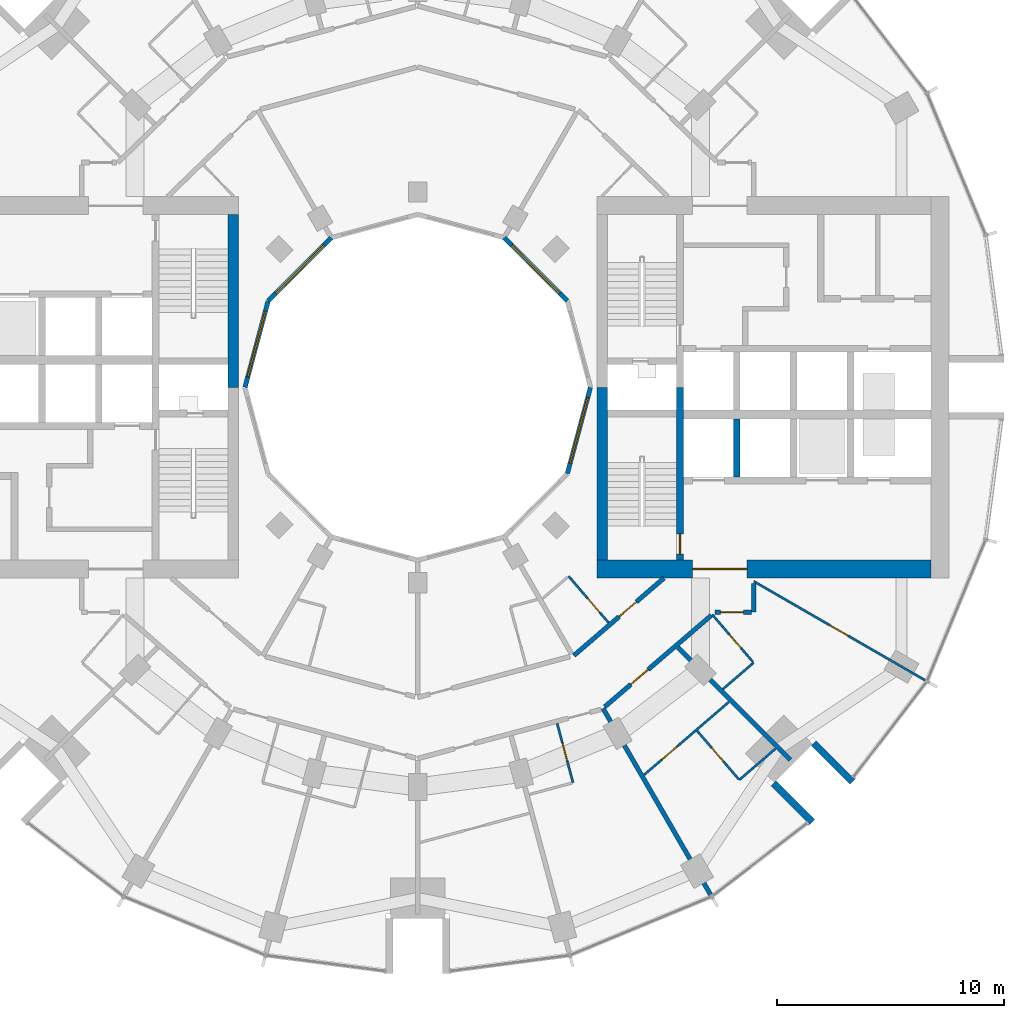
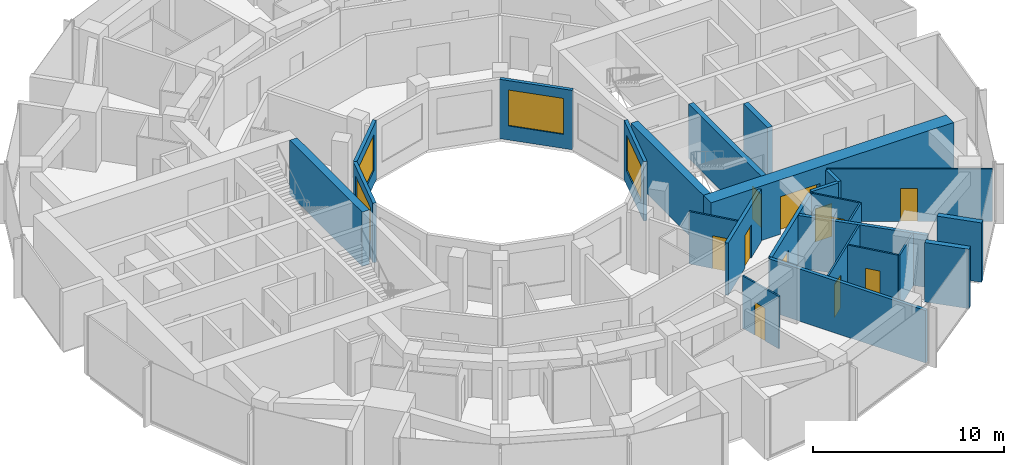
# One storey, part 10 of 15: 25 walls, 11 doors, 4 windows, 15 openings.
"""IFC4 building model written with IfcOpenShell, lengths in metres."""

import ifcopenshell
import ifcopenshell.guid

model = None  # the IFC model being written
_history = None  # IfcOwnerHistory: only IFC2X3 demands one
_inside = {}  # id of a spatial element -> (the spatial element, [elements in it])
_under = {}  # id of a project, library or spatial element -> (it, [spatial elements below it])
_declared = {}  # id of a project -> (the project, [libraries it declares])
_typed = {}  # id of a type object -> (the type object, [elements of that type])
_made_of = {}  # id of a material, layer set ... -> (it, [elements and type objects made of it])


def new_model(schema):
    """Start an empty IFC model of exactly this schema.

    Asked for "IFC4X3", IfcOpenShell would pick the latest addendum, in which some entities
    have other attributes; the version numbers below select the first issue.
    IFC2X3 requires an IfcOwnerHistory on every rooted entity: one is made here for all.
    """
    global model, _history
    if schema == "IFC4X3":
        model = ifcopenshell.file(schema_version=(4, 3, 0, 0))
    else:
        model = ifcopenshell.file(schema=schema)
    _inside.clear()
    _under.clear()
    _declared.clear()
    _typed.clear()
    _made_of.clear()
    _history = None
    if model.schema == "IFC2X3":
        org = make("IfcOrganization", Name="unknown")
        user = make(
            "IfcPersonAndOrganization",
            ThePerson=make("IfcPerson", FamilyName="unknown"),
            TheOrganization=org,
        )
        app = make(
            "IfcApplication",
            ApplicationDeveloper=org,
            Version="unknown",
            ApplicationFullName="unknown",
            ApplicationIdentifier="unknown",
        )
        _history = make(
            "IfcOwnerHistory",
            OwningUser=user,
            OwningApplication=app,
            ChangeAction="ADDED",
            CreationDate=0,
        )
    return model


def make(cls, **values):
    """One entity of the class cls with the attributes given. An attribute that is None is left unset."""
    return model.create_entity(
        cls, **{name: value for name, value in values.items() if value is not None}
    )


def rooted(cls, **values):
    """An entity with a GlobalId (a new one), such as an element, a storey or a relation."""
    return make(cls, GlobalId=ifcopenshell.guid.new(), OwnerHistory=_history, **values)


def si_unit(unit_type, name, prefix=None):
    """IfcSIUnit, for example si_unit("LENGTHUNIT", "METRE", prefix="MILLI")."""
    return make("IfcSIUnit", UnitType=unit_type, Prefix=prefix, Name=name)


def assignment(units):
    """IfcUnitAssignment: the units of a project."""
    return None if units is None else make("IfcUnitAssignment", Units=units)


def point(xyz):
    """IfcCartesianPoint."""
    return None if xyz is None else make("IfcCartesianPoint", Coordinates=xyz)


def direction(xyz):
    """IfcDirection."""
    return None if xyz is None else make("IfcDirection", DirectionRatios=xyz)


def frame(location, z_axis=None, x_axis=None):
    """IfcAxis2Placement3D, a coordinate frame: its origin and axes. An axis left out is left unset."""
    return make(
        "IfcAxis2Placement3D",
        Location=point(location),
        Axis=direction(z_axis),
        RefDirection=direction(x_axis),
    )


def frame_2d(location, x_axis=None):
    """IfcAxis2Placement2D, a coordinate frame in the plane: its origin and x axis."""
    return make(
        "IfcAxis2Placement2D", Location=point(location), RefDirection=direction(x_axis)
    )


def origin():
    """The frame at (0, 0, 0) with its axes left unset."""
    return frame((0.0, 0.0, 0.0))


def place(relative_to, where):
    """IfcLocalPlacement: puts the frame where relative to a parent placement (None: the world)."""
    return make(
        "IfcLocalPlacement", PlacementRelTo=relative_to, RelativePlacement=where
    )


def context(
    kind, dimensions, precision=None, world=None, true_north=None, identifier=None
):
    """IfcGeometricRepresentationContext, for example the 3D "Model" context."""
    return make(
        "IfcGeometricRepresentationContext",
        ContextIdentifier=identifier,
        ContextType=kind,
        CoordinateSpaceDimension=dimensions,
        Precision=precision,
        WorldCoordinateSystem=world,
        TrueNorth=true_north,
    )


def subcontext(parent, identifier, kind, view, scale=None):
    """IfcGeometricRepresentationSubContext, for example "Body" below "Model"."""
    return make(
        "IfcGeometricRepresentationSubContext",
        ContextIdentifier=identifier,
        ContextType=kind,
        ParentContext=parent,
        TargetScale=scale,
        TargetView=view,
    )


def project(units=None, contexts=None):
    """IfcProject with its units and contexts."""
    return rooted(
        "IfcProject",
        Name="project",
        RepresentationContexts=contexts,
        UnitsInContext=assignment(units),
    )


def spatial(cls, under=None, at=None, **own):
    """A site, building, storey or space (cls), placed at a placement, below another one or the project."""
    s = rooted(cls, ObjectPlacement=at, **own)
    if under is not None:
        _under.setdefault(under.id(), (under, []))[1].append(s)
    return s


def profile(cls, at=None, kind="AREA", **sizes):
    """A parametric profile (cls). Its sizes go by their IFC names, for example OverallWidth=200.0."""
    return make(cls, ProfileType=kind, Position=at, **sizes)


def rectangle(**sizes):
    """IfcRectangleProfileDef."""
    return profile("IfcRectangleProfileDef", **sizes)


def extrude(swept, where, along, depth):
    """IfcExtrudedAreaSolid: the profile swept, set in the frame where, extruded along a direction by depth."""
    return make(
        "IfcExtrudedAreaSolid",
        SweptArea=swept,
        Position=where,
        ExtrudedDirection=direction(along),
        Depth=depth,
    )


def shape(context_of_items, identifier, shape_type, items):
    """IfcShapeRepresentation: the items that make up one representation, for example the "Body"."""
    return make(
        "IfcShapeRepresentation",
        ContextOfItems=context_of_items,
        RepresentationIdentifier=identifier,
        RepresentationType=shape_type,
        Items=items,
    )


def material(Name=None, Category=None):
    """IfcMaterial."""
    return make("IfcMaterial", Name=Name, Category=Category)


def layer(
    of_material, thickness, ventilated=None, Name=None, Category=None, Priority=None
):
    """IfcMaterialLayer: one layer of a wall or slab, of a material (None: an air gap)."""
    return make(
        "IfcMaterialLayer",
        Material=of_material,
        LayerThickness=thickness,
        IsVentilated=ventilated,
        Name=Name,
        Category=Category,
        Priority=Priority,
    )


def layer_set(layers, Name=None):
    """IfcMaterialLayerSet."""
    return make("IfcMaterialLayerSet", MaterialLayers=layers, LayerSetName=Name)


def made_of(thing, what):
    """Note that an element or type object is made of a material, layer set ...; save() writes the relation."""
    if what is not None:
        _made_of.setdefault(what.id(), (what, []))[1].append(thing)
    return thing


def type_object(cls, material=None, **own):
    """A type object (cls), such as IfcWallType, which elements share."""
    return made_of(rooted(cls, **own), material)


def element(
    cls,
    number,
    at=None,
    inside=None,
    cuts=None,
    type_object=None,
    material=None,
    context=None,
    identifier="Body",
    shape_type=None,
    held_by="IfcProductDefinitionShape",
    body=None,
    shapes=None,
    **own,
):
    """One element of the class cls, such as IfcWall. Its Tag is "e" and its number.

    at: its placement. inside: the storey or other place that contains it. cuts: it is an
    opening in that element (IfcRelVoidsElement). A single representation is given by context,
    identifier, shape_type and body (its items); several are given by shapes. held_by: the class
    of the entity that holds the representations. save() writes the other relations.
    """
    e = rooted(cls, Tag="e%d" % number, ObjectPlacement=at, **own)
    if body is not None:
        shapes = [shape(context, identifier, shape_type, body)]
    if shapes is not None:
        e.Representation = make(held_by, Representations=shapes)
    if inside is not None:
        _inside.setdefault(inside.id(), (inside, []))[1].append(e)
    if cuts is not None:
        rooted(
            "IfcRelVoidsElement", RelatingBuildingElement=cuts, RelatedOpeningElement=e
        )
    if type_object is not None:
        _typed.setdefault(type_object.id(), (type_object, []))[1].append(e)
    return made_of(e, material)


def fill(opening, filler):
    """IfcRelFillsElement: the door or window that sits in an opening."""
    return rooted(
        "IfcRelFillsElement",
        RelatingOpeningElement=opening,
        RelatedBuildingElement=filler,
    )


def aggregate(whole, parts):
    """IfcRelAggregates: a whole, such as a stair, and the parts it consists of."""
    return rooted("IfcRelAggregates", RelatingObject=whole, RelatedObjects=parts)


def save(model, path):
    """Write the relations noted so far, then the file.

    IfcRelAggregates (storeys below a building ...), IfcRelContainedInSpatialStructure (elements
    in a storey), IfcRelDefinesByType, IfcRelAssociatesMaterial and IfcRelDeclares: one each for
    every whole, place, type object, material and project.
    """
    for whole, parts in _under.values():
        aggregate(whole, parts)
    for where, things in _inside.values():
        rooted(
            "IfcRelContainedInSpatialStructure",
            RelatedElements=things,
            RelatingStructure=where,
        )
    for kind, things in _typed.values():
        rooted("IfcRelDefinesByType", RelatedObjects=things, RelatingType=kind)
    for what, things in _made_of.values():
        rooted("IfcRelAssociatesMaterial", RelatedObjects=things, RelatingMaterial=what)
    for by, libraries in _declared.values():
        rooted("IfcRelDeclares", RelatingContext=by, RelatedDefinitions=libraries)
    model.write(path)


model = new_model("IFC4")

# Units and contexts
model_context = context("Model", 3, precision=1e-05, world=origin(), true_north=direction((0.0, 1.0)))
body_context = subcontext(model_context, "Body", "Model", "MODEL_VIEW")
ifc_project = project(units=[si_unit("LENGTHUNIT", "METRE"), si_unit("AREAUNIT", "SQUARE_METRE"), si_unit("VOLUMEUNIT", "CUBIC_METRE"), si_unit("PLANEANGLEUNIT", "RADIAN"), si_unit("MASSUNIT", "GRAM", prefix="KILO")], contexts=[model_context])

# Site, building, storey
site_placement = place(None, origin())
site = spatial("IfcSite", under=ifc_project, at=site_placement, CompositionType="ELEMENT")
building_placement = place(site_placement, origin())
building = spatial("IfcBuilding", under=site, at=building_placement, Name="Torre Brocal", CompositionType="ELEMENT")
storey_placement = place(building_placement, frame((0.0, 0.0, 47.800048828125)))
storey = spatial("IfcBuildingStorey", under=building, at=storey_placement, Name="L10", CompositionType="ELEMENT", Elevation=47.800048828125)

# Wall, opening, door
ifc_material_1 = material(Name="Concrete C80", Category="concrete")
ifc_layer_1 = layer(ifc_material_1, 0.300048828125)
ifc_layer_set_1 = layer_set([ifc_layer_1], Name="Concrete C80")
wall_type_1 = type_object("IfcWallType", Name="CORE WALL 300 C80", PredefinedType="SHEAR", material=ifc_layer_set_1)
wall_1_placement = place(storey_placement, frame((91.550048828125, 67.39990234375, 0.0), z_axis=(0.0, 0.0, 1.0), x_axis=(0.0, 1.0, 0.0)))
wall_1 = element("IfcWall", 1, at=wall_1_placement, inside=storey, type_object=wall_type_1, Name="Wall CW300-80", PredefinedType="SHEAR", context=body_context, shape_type="SweptSolid", body=[
    extrude(rectangle(XDim=7.60009765625, YDim=0.300048828125, at=frame_2d((3.800048828125, 0.0))), origin(), (0.0, 0.0, 1.0), 3.47998046875),
])
opening_1_placement = place(wall_1_placement, frame((0.25, 0.0, 0.0)))
opening_1 = element("IfcOpeningElement", 2, at=opening_1_placement, cuts=wall_1, Name="Opening E-D03", PredefinedType="OPENING", context=body_context, shape_type="SweptSolid", body=[
    extrude(rectangle(XDim=0.89990234375, YDim=2.10009765625, at=frame_2d((0.449951171875, 1.050048828125))), frame((0.0, 0.159912109375, 0.0), z_axis=(0.0, -1.0, 0.0), x_axis=(1.0, 0.0, 0.0)), (0.0, 0.0, 1.0), 0.320068359375),
])
ifc_material_2 = material(Name="Steel A653", Category="steel")
door_type_1 = type_object("IfcDoorType", Name="STAIR DOOR FD120 900X2100", OperationType="SINGLE_SWING_RIGHT", PredefinedType="DOOR", material=ifc_material_2)
door_1_placement = place(opening_1_placement, origin())
door_1 = element("IfcDoor", 3, at=door_1_placement, inside=storey, type_object=door_type_1, Name="Door E-D03", OperationType="SINGLE_SWING_LEFT", OverallHeight=2.10009765625, OverallWidth=0.89990234375, PredefinedType="DOOR", context=body_context, shape_type="SweptSolid", body=[
    extrude(rectangle(XDim=0.89990234375, YDim=2.10009765625, at=frame_2d((0.449951171875, 1.050048828125))), frame((0.0, 0.02490234375, 0.0), z_axis=(0.0, -1.0, 0.0), x_axis=(1.0, 0.0, 0.0)), (0.0, 0.0, 1.0), 0.050048828125),
])
fill(opening_1, door_1)

# Walls
wall_2_placement = place(storey_placement, frame((94.050048828125, 71.050048828125, 0.0), z_axis=(0.0, 0.0, 1.0), x_axis=(0.0, 1.0, 0.0)))
element("IfcWall", 4, at=wall_2_placement, inside=storey, type_object=wall_type_1, Name="Wall CW300-80", PredefinedType="SHEAR", context=body_context, shape_type="SweptSolid", body=[
    extrude(rectangle(XDim=2.550048828125, YDim=0.300048828125, at=frame_2d((1.27490234375, 0.0))), origin(), (0.0, 0.0, 1.0), 3.47998046875),
])
ifc_material_3 = material(Name="Concrete C80", Category="concrete")
ifc_layer_2 = layer(ifc_material_3, 0.449951171875)
ifc_layer_set_2 = layer_set([ifc_layer_2], Name="Concrete C80")
wall_type_2 = type_object("IfcWallType", Name="CORE WALL 450 C80", PredefinedType="SHEAR", material=ifc_layer_set_2)
for number, where, z_axis, x_axis, name in (
    (5, (88.125, 67.39990234375, 0.0), (0.0, 0.0, 1.0), (0.0, 1.0, 0.0), "Wall CW450-80"),
    (6, (71.875, 82.60009765625, 0.0), (0.0, 0.0, 1.0), (0.0, -1.0, 0.0), "Wall CW450-80"),
):
    element("IfcWall", number, at=place(storey_placement, frame(where, z_axis=z_axis, x_axis=x_axis)), inside=storey, type_object=wall_type_2, Name=name, PredefinedType="SHEAR", context=body_context, shape_type="SweptSolid", body=[
        extrude(rectangle(XDim=7.60009765625, YDim=0.449951171875, at=frame_2d((3.800048828125, 0.0))), origin(), (0.0, 0.0, 1.0), 3.47998046875),
    ])

# Wall, opening, door
ifc_material_4 = material(Name="Concrete C80", Category="concrete")
ifc_layer_3 = layer(ifc_material_4, 0.800048828125)
ifc_layer_set_3 = layer_set([ifc_layer_3], Name="Concrete C80")
wall_type_3 = type_object("IfcWallType", Name="CORE WALL 800 C80", PredefinedType="SHEAR", material=ifc_layer_set_3)
wall_3_placement = place(storey_placement, frame((87.89990234375, 67.0, 0.0), z_axis=(0.0, 0.0, 1.0), x_axis=(1.0, 0.0, 0.0)))
wall_3 = element("IfcWall", 7, at=wall_3_placement, inside=storey, type_object=wall_type_3, Name="Wall CW800-80", PredefinedType="SHEAR", context=body_context, shape_type="SweptSolid", body=[
    extrude(rectangle(XDim=14.7001953125, YDim=0.800048828125, at=frame_2d((7.35009765625, 0.0))), origin(), (0.0, 0.0, 1.0), 3.47998046875),
])
opening_2_placement = place(wall_3_placement, frame((4.199951171875, 0.0, 0.0)))
opening_2 = element("IfcOpeningElement", 8, at=opening_2_placement, cuts=wall_3, Name="Opening E-D27", PredefinedType="OPENING", context=body_context, shape_type="SweptSolid", body=[
    extrude(rectangle(XDim=2.39990234375, YDim=2.39990234375, at=frame_2d((1.199951171875, 1.199951171875))), frame((0.0, 0.409912109375, 0.0), z_axis=(0.0, -1.0, 0.0), x_axis=(1.0, 0.0, 0.0)), (0.0, 0.0, 1.0), 0.820068359375),
])
ifc_material_5 = material(Name="Steel A653", Category="steel")
door_type_2 = type_object("IfcDoorType", Name="DOUBLE FIRE DOOR FD90 2400X2400", OperationType="DOUBLE_DOOR_SINGLE_SWING", PredefinedType="DOOR", material=ifc_material_5)
door_2_placement = place(opening_2_placement, origin())
door_2 = element("IfcDoor", 9, at=door_2_placement, inside=storey, type_object=door_type_2, Name="Door E-D27", OperationType="DOUBLE_DOOR_SINGLE_SWING", OverallHeight=2.39990234375, OverallWidth=2.39990234375, PredefinedType="DOOR", context=body_context, shape_type="SweptSolid", body=[
    extrude(rectangle(XDim=2.39990234375, YDim=2.39990234375, at=frame_2d((1.199951171875, 1.199951171875))), frame((0.0, 0.02490234375, 0.0), z_axis=(0.0, -1.0, 0.0), x_axis=(1.0, 0.0, 0.0)), (0.0, 0.0, 1.0), 0.050048828125),
])
fill(opening_2, door_2)

# Walls
ifc_material_6 = material(Name="Concrete C80", Category="concrete")
ifc_layer_4 = layer(ifc_material_6, 0.300048828125)
ifc_layer_set_4 = layer_set([ifc_layer_4], Name="Concrete C80")
wall_type_4 = type_object("IfcWallType", Name="NOTCH RETURN WALL 300 C80", PredefinedType="NOTDEFINED", material=ifc_layer_set_4)
for number, where, z_axis, x_axis, name in (
    (10, (95.662353515625, 57.56982421875, 0.0), (0.0, 0.0, 1.0), (0.707106781187, -0.707106781187, 0.0), "NOTCH RETURN WALL"),
    (11, (97.43017578125, 59.337646484375, 0.0), (0.0, 0.0, 1.0), (0.707106781187, -0.707106781187, 0.0), "NOTCH RETURN WALL"),
):
    element("IfcWall", number, at=place(storey_placement, frame(where, z_axis=z_axis, x_axis=x_axis)), inside=storey, type_object=wall_type_4, Name=name, PredefinedType="NOTDEFINED", context=body_context, shape_type="SweptSolid", body=[
        extrude(rectangle(XDim=2.415771484375, YDim=0.300048828125, at=frame_2d((1.2080078125, 0.0))), origin(), (0.0, 0.0, 1.0), 3.800048828125),
    ])

# Wall, opening, door
ifc_material_7 = material(Name="Gypsum board", Category="Gypsum")
ifc_layer_5 = layer(ifc_material_7, 0.10009765625)
ifc_layer_set_5 = layer_set([ifc_layer_5], Name="Gypsum board")
wall_type_5 = type_object("IfcWallType", Name="PARTITION 100", PredefinedType="PARTITIONING", material=ifc_layer_set_5)
wall_4_placement = place(storey_placement, frame((86.139892578125, 60.196044921875, 0.0), z_axis=(0.0, 0.0, 1.0), x_axis=(0.258945475746, -0.965891940432, 0.0)))
wall_4 = element("IfcWall", 12, at=wall_4_placement, inside=storey, type_object=wall_type_5, Name="BATHROOM WALL", PredefinedType="PARTITIONING", context=body_context, shape_type="SweptSolid", body=[
    extrude(rectangle(XDim=2.7001953125, YDim=0.10009765625, at=frame_2d((1.35009765625, 0.0))), origin(), (0.0, 0.0, 1.0), 3.349853515625),
])
opening_3_placement = place(wall_4_placement, frame((0.89990234375, 0.0, 0.0)))
opening_3 = element("IfcOpeningElement", 13, at=opening_3_placement, cuts=wall_4, Name="Opening H02-D30", PredefinedType="OPENING", context=body_context, shape_type="SweptSolid", body=[
    extrude(rectangle(XDim=0.800048828125, YDim=2.10009765625, at=frame_2d((0.39990234375, 1.050048828125))), frame((0.0, 0.06005859375, 0.0), z_axis=(0.0, -1.0, 0.0), x_axis=(1.0, 0.0, 0.0)), (0.0, 0.0, 1.0), 0.1201171875),
])
ifc_material_8 = material(Name="Timber", Category="wood")
door_type_3 = type_object("IfcDoorType", Name="BATHROOM DOOR 800X2100", OperationType="SINGLE_SWING_LEFT", PredefinedType="DOOR", material=ifc_material_8)
door_3_placement = place(opening_3_placement, frame((0.800048828125, 0.0, 0.0), z_axis=(0.0, 0.0, 1.0), x_axis=(-1.0, 0.0, 0.0)))
door_3 = element("IfcDoor", 14, at=door_3_placement, inside=storey, type_object=door_type_3, Name="H02-D30", OperationType="SINGLE_SWING_RIGHT", OverallHeight=2.10009765625, OverallWidth=0.800048828125, PredefinedType="DOOR", context=body_context, shape_type="SweptSolid", body=[
    extrude(rectangle(XDim=0.800048828125, YDim=2.10009765625, at=frame_2d((0.39990234375, 1.050048828125))), frame((0.0, 0.02490234375, 0.0), z_axis=(0.0, -1.0, 0.0), x_axis=(1.0, 0.0, 0.0)), (0.0, 0.0, 1.0), 0.050048828125),
])
fill(opening_3, door_3)

wall_5_placement = place(storey_placement, frame((86.64306640625, 66.680908203125, 0.0), z_axis=(0.0, 0.0, 1.0), x_axis=(0.652264876065, -0.757991115682, 0.0)))
wall_5 = element("IfcWall", 15, at=wall_5_placement, inside=storey, type_object=wall_type_5, Name="BATHROOM WALL", PredefinedType="PARTITIONING", context=body_context, shape_type="SweptSolid", body=[
    extrude(rectangle(XDim=2.699462890625, YDim=0.10009765625, at=frame_2d((1.349609375, 0.0))), origin(), (0.0, 0.0, 1.0), 3.349853515625),
])
opening_4_placement = place(wall_5_placement, frame((1.2998046875, 0.0, 0.0)))
opening_4 = element("IfcOpeningElement", 16, at=opening_4_placement, cuts=wall_5, Name="Opening H02-D42", PredefinedType="OPENING", context=body_context, shape_type="SweptSolid", body=[
    extrude(rectangle(XDim=0.800048828125, YDim=2.10009765625, at=frame_2d((0.39990234375, 1.050048828125))), frame((0.0, 0.06005859375, 0.0), z_axis=(0.0, -1.0, 0.0), x_axis=(1.0, 0.0, 0.0)), (0.0, 0.0, 1.0), 0.1201171875),
])
door_4_placement = place(opening_4_placement, frame((0.800048828125, 0.0, 0.0), z_axis=(0.0, 0.0, 1.0), x_axis=(-1.0, 0.0, 0.0)))
door_4 = element("IfcDoor", 17, at=door_4_placement, inside=storey, type_object=door_type_3, Name="H02-D42", OperationType="SINGLE_SWING_LEFT", OverallHeight=2.10009765625, OverallWidth=0.800048828125, PredefinedType="DOOR", context=body_context, shape_type="SweptSolid", body=[
    extrude(rectangle(XDim=0.800048828125, YDim=2.10009765625, at=frame_2d((0.39990234375, 1.050048828125))), frame((0.0, 0.02490234375, 0.0), z_axis=(0.0, -1.0, 0.0), x_axis=(1.0, 0.0, 0.0)), (0.0, 0.0, 1.0), 0.050048828125),
])
fill(opening_4, door_4)

wall_6_placement = place(storey_placement, frame((89.974365234375, 57.939697265625, 0.0), z_axis=(0.0, 0.0, 1.0), x_axis=(0.75821417454, 0.652005571699, 0.0)))
wall_6 = element("IfcWall", 18, at=wall_6_placement, inside=storey, type_object=wall_type_5, Name="BATHROOM WALL", PredefinedType="PARTITIONING", context=body_context, shape_type="SweptSolid", body=[
    extrude(rectangle(XDim=4.91455078125, YDim=0.10009765625, at=frame_2d((2.457275390625, 0.0))), origin(), (0.0, 0.0, 1.0), 3.349853515625),
])
opening_5_placement = place(wall_6_placement, frame((1.017333984375, 0.0, 0.0)))
opening_5 = element("IfcOpeningElement", 19, at=opening_5_placement, cuts=wall_6, Name="Opening H02-D27", PredefinedType="OPENING", context=body_context, shape_type="SweptSolid", body=[
    extrude(rectangle(XDim=0.89990234375, YDim=2.10009765625, at=frame_2d((0.449951171875, 1.050048828125))), frame((0.0, 0.06005859375, 0.0), z_axis=(0.0, -1.0, 0.0), x_axis=(1.0, 0.0, 0.0)), (0.0, 0.0, 1.0), 0.1201171875),
])
ifc_material_9 = material(Name="Timber", Category="wood")
door_type_4 = type_object("IfcDoorType", Name="ROOM DOOR 900X2100", OperationType="SINGLE_SWING_LEFT", PredefinedType="DOOR", material=ifc_material_9)
door_5_placement = place(opening_5_placement, origin())
door_5 = element("IfcDoor", 20, at=door_5_placement, inside=storey, type_object=door_type_4, Name="H02-D27", OperationType="SINGLE_SWING_LEFT", OverallHeight=2.10009765625, OverallWidth=0.89990234375, PredefinedType="DOOR", context=body_context, shape_type="SweptSolid", body=[
    extrude(rectangle(XDim=0.89990234375, YDim=2.10009765625, at=frame_2d((0.449951171875, 1.050048828125))), frame((0.0, 0.02490234375, 0.0), z_axis=(0.0, -1.0, 0.0), x_axis=(1.0, 0.0, 0.0)), (0.0, 0.0, 1.0), 0.050048828125),
])
fill(opening_5, door_5)

wall_7_placement = place(storey_placement, frame((92.300537109375, 59.8740234375, 0.0), z_axis=(0.0, 0.0, 1.0), x_axis=(0.652061320562, -0.758166231262, 0.0)))
wall_7 = element("IfcWall", 21, at=wall_7_placement, inside=storey, type_object=wall_type_5, Name="BATHROOM WALL", PredefinedType="PARTITIONING", context=body_context, shape_type="SweptSolid", body=[
    extrude(rectangle(XDim=2.80029296875, YDim=0.10009765625, at=frame_2d((1.400146484375, 0.0))), origin(), (0.0, 0.0, 1.0), 3.349853515625),
])
opening_6_placement = place(wall_7_placement, frame((1.0, 0.0, 0.0)))
opening_6 = element("IfcOpeningElement", 22, at=opening_6_placement, cuts=wall_7, Name="Opening H02-D28", PredefinedType="OPENING", context=body_context, shape_type="SweptSolid", body=[
    extrude(rectangle(XDim=0.800048828125, YDim=2.10009765625, at=frame_2d((0.39990234375, 1.050048828125))), frame((0.0, 0.06005859375, 0.0), z_axis=(0.0, -1.0, 0.0), x_axis=(1.0, 0.0, 0.0)), (0.0, 0.0, 1.0), 0.1201171875),
])
door_6_placement = place(opening_6_placement, origin())
door_6 = element("IfcDoor", 23, at=door_6_placement, inside=storey, type_object=door_type_3, Name="H02-D28", OperationType="SINGLE_SWING_LEFT", OverallHeight=2.10009765625, OverallWidth=0.800048828125, PredefinedType="DOOR", context=body_context, shape_type="SweptSolid", body=[
    extrude(rectangle(XDim=0.800048828125, YDim=2.10009765625, at=frame_2d((0.39990234375, 1.050048828125))), frame((0.0, 0.02490234375, 0.0), z_axis=(0.0, -1.0, 0.0), x_axis=(1.0, 0.0, 0.0)), (0.0, 0.0, 1.0), 0.050048828125),
])
fill(opening_6, door_6)

wall_8_placement = place(storey_placement, frame((92.965087890625, 64.996826171875, 0.0), z_axis=(0.0, 0.0, 1.0), x_axis=(0.652069888227, -0.758158862553, 0.0)))
wall_8 = element("IfcWall", 24, at=wall_8_placement, inside=storey, type_object=wall_type_5, Name="BATHROOM WALL", PredefinedType="PARTITIONING", context=body_context, shape_type="SweptSolid", body=[
    extrude(rectangle(XDim=2.75, YDim=0.10009765625, at=frame_2d((1.375, 0.0))), origin(), (0.0, 0.0, 1.0), 3.349853515625),
])
opening_7_placement = place(wall_8_placement, frame((1.14990234375, 0.0, 0.0)))
opening_7 = element("IfcOpeningElement", 25, at=opening_7_placement, cuts=wall_8, Name="Opening H02-D24", PredefinedType="OPENING", context=body_context, shape_type="SweptSolid", body=[
    extrude(rectangle(XDim=0.800048828125, YDim=2.10009765625, at=frame_2d((0.39990234375, 1.050048828125))), frame((0.0, 0.06005859375, 0.0), z_axis=(0.0, -1.0, 0.0), x_axis=(1.0, 0.0, 0.0)), (0.0, 0.0, 1.0), 0.1201171875),
])
door_7_placement = place(opening_7_placement, frame((0.800048828125, 0.0, 0.0), z_axis=(0.0, 0.0, 1.0), x_axis=(-1.0, 0.0, 0.0)))
door_7 = element("IfcDoor", 26, at=door_7_placement, inside=storey, type_object=door_type_3, Name="H02-D24", OperationType="SINGLE_SWING_LEFT", OverallHeight=2.10009765625, OverallWidth=0.800048828125, PredefinedType="DOOR", context=body_context, shape_type="SweptSolid", body=[
    extrude(rectangle(XDim=0.800048828125, YDim=2.10009765625, at=frame_2d((0.39990234375, 1.050048828125))), frame((0.0, 0.02490234375, 0.0), z_axis=(0.0, -1.0, 0.0), x_axis=(1.0, 0.0, 0.0)), (0.0, 0.0, 1.0), 0.050048828125),
])
fill(opening_7, door_7)

# Walls
wall_9_placement = place(storey_placement, frame((93.434814453125, 61.707275390625, 0.0), z_axis=(0.0, 0.0, 1.0), x_axis=(0.758070495124, 0.652172618578, 0.0)))
element("IfcWall", 27, at=wall_9_placement, inside=storey, type_object=wall_type_5, Name="BATHROOM WALL", PredefinedType="PARTITIONING", context=body_context, shape_type="SweptSolid", body=[
    extrude(rectangle(XDim=1.7890625, YDim=0.10009765625, at=frame_2d((0.89453125, 0.0))), origin(), (0.0, 0.0, 1.0), 3.349853515625),
])
wall_10_placement = place(storey_placement, frame((94.158935546875, 57.712890625, 0.0), z_axis=(0.0, 0.0, 1.0), x_axis=(0.75802950812, 0.652220257903, 0.0)))
element("IfcWall", 28, at=wall_10_placement, inside=storey, type_object=wall_type_5, Name="BATHROOM WALL", PredefinedType="PARTITIONING", context=body_context, shape_type="SweptSolid", body=[
    extrude(rectangle(XDim=2.10888671875, YDim=0.10009765625, at=frame_2d((1.054443359375, 0.0))), origin(), (0.0, 0.0, 1.0), 3.349853515625),
])

# Wall, opening, door
wall_11_placement = place(storey_placement, frame((94.800048828125, 66.455078125, 0.0), z_axis=(0.0, 0.0, 1.0), x_axis=(0.86602264145, -0.500004784474, 0.0)))
wall_11 = element("IfcWall", 29, at=wall_11_placement, inside=storey, type_object=wall_type_5, Name="ROOM PARTITION", PredefinedType="PARTITIONING", context=body_context, shape_type="SweptSolid", body=[
    extrude(rectangle(XDim=8.7080078125, YDim=0.10009765625, at=frame_2d((4.35400390625, 0.0))), origin(), (0.0, 0.0, 1.0), 3.349853515625),
])
opening_8_placement = place(wall_11_placement, frame((3.87890625, 0.0, 0.0)))
opening_8 = element("IfcOpeningElement", 30, at=opening_8_placement, cuts=wall_11, Name="Opening H02-D25", PredefinedType="OPENING", context=body_context, shape_type="SweptSolid", body=[
    extrude(rectangle(XDim=0.89990234375, YDim=2.10009765625, at=frame_2d((0.449951171875, 1.050048828125))), frame((0.0, 0.06005859375, 0.0), z_axis=(0.0, -1.0, 0.0), x_axis=(1.0, 0.0, 0.0)), (0.0, 0.0, 1.0), 0.1201171875),
])
door_8_placement = place(opening_8_placement, origin())
door_8 = element("IfcDoor", 31, at=door_8_placement, inside=storey, type_object=door_type_4, Name="H02-D25", OperationType="SINGLE_SWING_LEFT", OverallHeight=2.10009765625, OverallWidth=0.89990234375, PredefinedType="DOOR", context=body_context, shape_type="SweptSolid", body=[
    extrude(rectangle(XDim=0.89990234375, YDim=2.10009765625, at=frame_2d((0.449951171875, 1.050048828125))), frame((0.0, 0.02490234375, 0.0), z_axis=(0.0, -1.0, 0.0), x_axis=(1.0, 0.0, 0.0)), (0.0, 0.0, 1.0), 0.050048828125),
])
fill(opening_8, door_8)

ifc_material_10 = material(Name="Gypsum board", Category="Gypsum")
ifc_layer_6 = layer(ifc_material_10, 0.199951171875)
ifc_layer_set_6 = layer_set([ifc_layer_6], Name="Gypsum board")
wall_type_6 = type_object("IfcWallType", Name="PARTITION 200 EI60", PredefinedType="PARTITIONING", material=ifc_layer_set_6)
wall_12_placement = place(storey_placement, frame((86.876953125, 63.189208984375, 0.0), z_axis=(0.0, 0.0, 1.0), x_axis=(0.758164888471, 0.652062881853, 0.0)))
wall_12 = element("IfcWall", 32, at=wall_12_placement, inside=storey, type_object=wall_type_6, Name="GUESTROOM CORRIDOR WALL", PredefinedType="PARTITIONING", context=body_context, shape_type="SweptSolid", body=[
    extrude(rectangle(XDim=5.230224609375, YDim=0.199951171875, at=frame_2d((2.615234375, 0.0))), origin(), (0.0, 0.0, 1.0), 3.349853515625),
])
opening_9_placement = place(wall_12_placement, frame((2.63037109375, 0.0, 0.0)))
opening_9 = element("IfcOpeningElement", 33, at=opening_9_placement, cuts=wall_12, Name="Opening H02-D41", PredefinedType="OPENING", context=body_context, shape_type="SweptSolid", body=[
    extrude(rectangle(XDim=1.0, YDim=2.10009765625, at=frame_2d((0.5, 1.050048828125))), frame((0.0, 0.10986328125, 0.0), z_axis=(0.0, -1.0, 0.0), x_axis=(1.0, 0.0, 0.0)), (0.0, 0.0, 1.0), 0.219970703125),
])
ifc_material_11 = material(Name="Timber", Category="wood")
door_type_5 = type_object("IfcDoorType", Name="FLAT ENTRY DOOR FD30S 1000X2100", OperationType="SINGLE_SWING_RIGHT", PredefinedType="DOOR", material=ifc_material_11)
door_9_placement = place(opening_9_placement, origin())
door_9 = element("IfcDoor", 34, at=door_9_placement, inside=storey, type_object=door_type_5, Name="H02-D41", OperationType="SINGLE_SWING_LEFT", OverallHeight=2.10009765625, OverallWidth=1.0, PredefinedType="DOOR", context=body_context, shape_type="SweptSolid", body=[
    extrude(rectangle(XDim=1.0, YDim=2.10009765625, at=frame_2d((0.5, 1.050048828125))), frame((0.0, 0.02490234375, 0.0), z_axis=(0.0, -1.0, 0.0), x_axis=(1.0, 0.0, 0.0)), (0.0, 0.0, 1.0), 0.050048828125),
])
fill(opening_9, door_9)

wall_13_placement = place(storey_placement, frame((88.234619140625, 60.931396484375, 0.0), z_axis=(0.0, 0.0, 1.0), x_axis=(0.758799498714, 0.651324282329, 0.0)))
wall_13 = element("IfcWall", 35, at=wall_13_placement, inside=storey, type_object=wall_type_6, Name="FLAT ENTRANCE WALL", PredefinedType="PARTITIONING", context=body_context, shape_type="SweptSolid", body=[
    extrude(rectangle(XDim=6.185546875, YDim=0.199951171875, at=frame_2d((3.0927734375, 0.0))), origin(), (0.0, 0.0, 1.0), 3.349853515625),
])
opening_10_placement = place(wall_13_placement, frame((1.518798828125, 0.0, 0.0)))
opening_10 = element("IfcOpeningElement", 36, at=opening_10_placement, cuts=wall_13, Name="Opening H02-D26", PredefinedType="OPENING", context=body_context, shape_type="SweptSolid", body=[
    extrude(rectangle(XDim=1.0, YDim=2.10009765625, at=frame_2d((0.5, 1.050048828125))), frame((0.0, 0.10986328125, 0.0), z_axis=(0.0, -1.0, 0.0), x_axis=(1.0, 0.0, 0.0)), (0.0, 0.0, 1.0), 0.219970703125),
])
door_10_placement = place(opening_10_placement, frame((1.0, 0.0, 0.0), z_axis=(0.0, 0.0, 1.0), x_axis=(-1.0, 0.0, 0.0)))
door_10 = element("IfcDoor", 37, at=door_10_placement, inside=storey, type_object=door_type_5, Name="H02-D26", OperationType="SINGLE_SWING_LEFT", OverallHeight=2.10009765625, OverallWidth=1.0, PredefinedType="DOOR", context=body_context, shape_type="SweptSolid", body=[
    extrude(rectangle(XDim=1.0, YDim=2.10009765625, at=frame_2d((0.5, 1.050048828125))), frame((0.0, 0.02490234375, 0.0), z_axis=(0.0, -1.0, 0.0), x_axis=(1.0, 0.0, 0.0)), (0.0, 0.0, 1.0), 0.050048828125),
])
fill(opening_10, door_10)

# Walls
wall_14_placement = place(storey_placement, frame((88.159423828125, 60.86279296875, 0.0), z_axis=(0.0, 0.0, 1.0), x_axis=(0.499897184548, -0.866084756177, 0.0)))
element("IfcWall", 38, at=wall_14_placement, inside=storey, type_object=wall_type_6, Name="PARTY PARTITION", PredefinedType="PARTITIONING", context=body_context, shape_type="SweptSolid", body=[
    extrude(rectangle(XDim=9.474609375, YDim=0.199951171875, at=frame_2d((4.7373046875, 0.0))), origin(), (0.0, 0.0, 1.0), 3.349853515625),
])
wall_15_placement = place(storey_placement, frame((91.44921875, 63.5478515625, 0.0), z_axis=(0.0, 0.0, 1.0), x_axis=(0.706984810649, -0.707228730688, 0.0)))
element("IfcWall", 39, at=wall_15_placement, inside=storey, type_object=wall_type_6, Name="BATHROOM WALL", PredefinedType="PARTITIONING", context=body_context, shape_type="SweptSolid", body=[
    extrude(rectangle(XDim=7.00634765625, YDim=0.199951171875, at=frame_2d((3.503173828125, 0.0))), origin(), (0.0, 0.0, 1.0), 3.349853515625),
])

# Wall, opening, door
wall_16_placement = place(storey_placement, frame((93.0849609375, 65.10009765625, 0.0), z_axis=(0.0, 0.0, 1.0), x_axis=(1.0, 0.0, 0.0)))
wall_16 = element("IfcWall", 40, at=wall_16_placement, inside=storey, type_object=wall_type_6, Name="GUESTROOM CORRIDOR WALL", PredefinedType="PARTITIONING", context=body_context, shape_type="SweptSolid", body=[
    extrude(rectangle(XDim=1.614990234375, YDim=0.199951171875, at=frame_2d((0.8076171875, 0.0))), origin(), (0.0, 0.0, 1.0), 3.349853515625),
])
opening_11_placement = place(wall_16_placement, frame((0.25, 0.0, 0.0)))
opening_11 = element("IfcOpeningElement", 41, at=opening_11_placement, cuts=wall_16, Name="Opening H02-D23", PredefinedType="OPENING", context=body_context, shape_type="SweptSolid", body=[
    extrude(rectangle(XDim=1.0, YDim=2.10009765625, at=frame_2d((0.5, 1.050048828125))), frame((0.0, 0.10986328125, 0.0), z_axis=(0.0, -1.0, 0.0), x_axis=(1.0, 0.0, 0.0)), (0.0, 0.0, 1.0), 0.219970703125),
])
door_11_placement = place(opening_11_placement, frame((1.0, 0.0, 0.0), z_axis=(0.0, 0.0, 1.0), x_axis=(-1.0, 0.0, 0.0)))
door_11 = element("IfcDoor", 42, at=door_11_placement, inside=storey, type_object=door_type_5, Name="H02-D23", OperationType="SINGLE_SWING_LEFT", OverallHeight=2.10009765625, OverallWidth=1.0, PredefinedType="DOOR", context=body_context, shape_type="SweptSolid", body=[
    extrude(rectangle(XDim=1.0, YDim=2.10009765625, at=frame_2d((0.5, 1.050048828125))), frame((0.0, 0.02490234375, 0.0), z_axis=(0.0, -1.0, 0.0), x_axis=(1.0, 0.0, 0.0)), (0.0, 0.0, 1.0), 0.050048828125),
])
fill(opening_11, door_11)

# Wall
wall_17_placement = place(storey_placement, frame((94.800048828125, 65.10009765625, 0.0), z_axis=(0.0, 0.0, 1.0), x_axis=(0.0, 1.0, 0.0)))
element("IfcWall", 43, at=wall_17_placement, inside=storey, type_object=wall_type_6, Name="GUESTROOM CORRIDOR WALL", PredefinedType="PARTITIONING", context=body_context, shape_type="SweptSolid", body=[
    extrude(rectangle(XDim=1.25, YDim=0.199951171875, at=frame_2d((0.625, 0.0))), origin(), (0.0, 0.0, 1.0), 3.349853515625),
])

# Wall, opening, window
ifc_material_12 = material(Name="Concrete C40", Category="concrete")
ifc_layer_7 = layer(ifc_material_12, 0.199951171875)
ifc_layer_set_7 = layer_set([ifc_layer_7], Name="Concrete C40")
wall_type_7 = type_object("IfcWallType", Name="WELL FACADE WALL 200", PredefinedType="NOTDEFINED", material=ifc_layer_set_7)
wall_18_placement = place(storey_placement, frame((86.5849609375, 78.8017578125, 0.0), z_axis=(0.0, 0.0, 1.0), x_axis=(-0.707106781187, 0.707106781187, 0.0)))
wall_18 = element("IfcWall", 44, at=wall_18_placement, inside=storey, type_object=wall_type_7, Name="WELL FACADE WALL", PredefinedType="NOTDEFINED", context=body_context, shape_type="SweptSolid", body=[
    extrude(rectangle(XDim=3.93603515625, YDim=0.199951171875, at=frame_2d((1.968017578125, 0.0))), origin(), (0.0, 0.0, 1.0), 3.800048828125),
])
opening_12_placement = place(wall_18_placement, frame((0.468017578125, 0.0, 0.89990234375)))
opening_12 = element("IfcOpeningElement", 45, at=opening_12_placement, cuts=wall_18, Name="Opening W1", PredefinedType="OPENING", context=body_context, shape_type="SweptSolid", body=[
    extrude(rectangle(XDim=3.0, YDim=2.300048828125, at=frame_2d((1.5, 1.14990234375))), frame((0.0, 0.10986328125, 0.0), z_axis=(0.0, -1.0, 0.0), x_axis=(1.0, 0.0, 0.0)), (0.0, 0.0, 1.0), 0.219970703125),
])
ifc_material_13 = material(Name="Aluminium and glass", Category="aluminium")
window_type = type_object("IfcWindowType", Name="WELL WINDOW 3000X2300", PartitioningType="SINGLE_PANEL", PredefinedType="WINDOW", material=ifc_material_13)
window_1_placement = place(opening_12_placement, origin())
window_1 = element("IfcWindow", 46, at=window_1_placement, inside=storey, type_object=window_type, Name="WELL WINDOW 3000X2300", OverallHeight=2.300048828125, OverallWidth=3.0, PartitioningType="SINGLE_PANEL", PredefinedType="WINDOW", context=body_context, shape_type="SweptSolid", body=[
    extrude(rectangle(XDim=3.0, YDim=2.300048828125, at=frame_2d((1.5, 1.14990234375))), frame((0.0, 0.030029296875, 0.0), z_axis=(0.0, -1.0, 0.0), x_axis=(1.0, 0.0, 0.0)), (0.0, 0.0, 1.0), 0.06005859375),
])
fill(opening_12, window_1)

wall_19_placement = place(storey_placement, frame((76.1982421875, 81.5849609375, 0.0), z_axis=(0.0, 0.0, 1.0), x_axis=(-0.707106781187, -0.707106781187, 0.0)))
wall_19 = element("IfcWall", 47, at=wall_19_placement, inside=storey, type_object=wall_type_7, Name="WELL FACADE WALL", PredefinedType="NOTDEFINED", context=body_context, shape_type="SweptSolid", body=[
    extrude(rectangle(XDim=3.93603515625, YDim=0.199951171875, at=frame_2d((1.968017578125, 0.0))), origin(), (0.0, 0.0, 1.0), 3.800048828125),
])
opening_13_placement = place(wall_19_placement, frame((0.468017578125, 0.0, 0.89990234375)))
opening_13 = element("IfcOpeningElement", 48, at=opening_13_placement, cuts=wall_19, Name="Opening W1", PredefinedType="OPENING", context=body_context, shape_type="SweptSolid", body=[
    extrude(rectangle(XDim=3.0, YDim=2.300048828125, at=frame_2d((1.5, 1.14990234375))), frame((0.0, 0.10986328125, 0.0), z_axis=(0.0, -1.0, 0.0), x_axis=(1.0, 0.0, 0.0)), (0.0, 0.0, 1.0), 0.219970703125),
])
window_2_placement = place(opening_13_placement, origin())
window_2 = element("IfcWindow", 49, at=window_2_placement, inside=storey, type_object=window_type, Name="WELL WINDOW 3000X2300", OverallHeight=2.300048828125, OverallWidth=3.0, PartitioningType="SINGLE_PANEL", PredefinedType="WINDOW", context=body_context, shape_type="SweptSolid", body=[
    extrude(rectangle(XDim=3.0, YDim=2.300048828125, at=frame_2d((1.5, 1.14990234375))), frame((0.0, 0.030029296875, 0.0), z_axis=(0.0, -1.0, 0.0), x_axis=(1.0, 0.0, 0.0)), (0.0, 0.0, 1.0), 0.06005859375),
])
fill(opening_13, window_2)

wall_20_placement = place(storey_placement, frame((73.4150390625, 78.8017578125, 0.0), z_axis=(0.0, 0.0, 1.0), x_axis=(-0.258789828301, -0.965933654434, 0.0)))
wall_20 = element("IfcWall", 50, at=wall_20_placement, inside=storey, type_object=wall_type_7, Name="WELL FACADE WALL", PredefinedType="NOTDEFINED", context=body_context, shape_type="SweptSolid", body=[
    extrude(rectangle(XDim=3.935791015625, YDim=0.199951171875, at=frame_2d((1.9677734375, 0.0))), origin(), (0.0, 0.0, 1.0), 3.800048828125),
])
opening_14_placement = place(wall_20_placement, frame((0.468017578125, 0.0, 0.89990234375)))
opening_14 = element("IfcOpeningElement", 51, at=opening_14_placement, cuts=wall_20, Name="Opening W1", PredefinedType="OPENING", context=body_context, shape_type="SweptSolid", body=[
    extrude(rectangle(XDim=3.0, YDim=2.300048828125, at=frame_2d((1.5, 1.14990234375))), frame((0.0, 0.10986328125, 0.0), z_axis=(0.0, -1.0, 0.0), x_axis=(1.0, 0.0, 0.0)), (0.0, 0.0, 1.0), 0.219970703125),
])
window_3_placement = place(opening_14_placement, origin())
window_3 = element("IfcWindow", 52, at=window_3_placement, inside=storey, type_object=window_type, Name="WELL WINDOW 3000X2300", OverallHeight=2.300048828125, OverallWidth=3.0, PartitioningType="SINGLE_PANEL", PredefinedType="WINDOW", context=body_context, shape_type="SweptSolid", body=[
    extrude(rectangle(XDim=3.0, YDim=2.300048828125, at=frame_2d((1.5, 1.14990234375))), frame((0.0, 0.030029296875, 0.0), z_axis=(0.0, -1.0, 0.0), x_axis=(1.0, 0.0, 0.0)), (0.0, 0.0, 1.0), 0.06005859375),
])
fill(opening_14, window_3)

wall_21_placement = place(storey_placement, frame((86.5849609375, 71.1982421875, 0.0), z_axis=(0.0, 0.0, 1.0), x_axis=(0.258789828301, 0.965933654434, 0.0)))
wall_21 = element("IfcWall", 53, at=wall_21_placement, inside=storey, type_object=wall_type_7, Name="WELL FACADE WALL", PredefinedType="NOTDEFINED", context=body_context, shape_type="SweptSolid", body=[
    extrude(rectangle(XDim=3.935791015625, YDim=0.199951171875, at=frame_2d((1.9677734375, 0.0))), origin(), (0.0, 0.0, 1.0), 3.800048828125),
])
opening_15_placement = place(wall_21_placement, frame((0.468017578125, 0.0, 0.89990234375)))
opening_15 = element("IfcOpeningElement", 54, at=opening_15_placement, cuts=wall_21, Name="Opening W1", PredefinedType="OPENING", context=body_context, shape_type="SweptSolid", body=[
    extrude(rectangle(XDim=3.0, YDim=2.300048828125, at=frame_2d((1.5, 1.14990234375))), frame((0.0, 0.10986328125, 0.0), z_axis=(0.0, -1.0, 0.0), x_axis=(1.0, 0.0, 0.0)), (0.0, 0.0, 1.0), 0.219970703125),
])
window_4_placement = place(opening_15_placement, origin())
window_4 = element("IfcWindow", 55, at=window_4_placement, inside=storey, type_object=window_type, Name="WELL WINDOW 3000X2300", OverallHeight=2.300048828125, OverallWidth=3.0, PartitioningType="SINGLE_PANEL", PredefinedType="WINDOW", context=body_context, shape_type="SweptSolid", body=[
    extrude(rectangle(XDim=3.0, YDim=2.300048828125, at=frame_2d((1.5, 1.14990234375))), frame((0.0, 0.030029296875, 0.0), z_axis=(0.0, -1.0, 0.0), x_axis=(1.0, 0.0, 0.0)), (0.0, 0.0, 1.0), 0.06005859375),
])
fill(opening_15, window_4)

save(model, "model.ifc")
